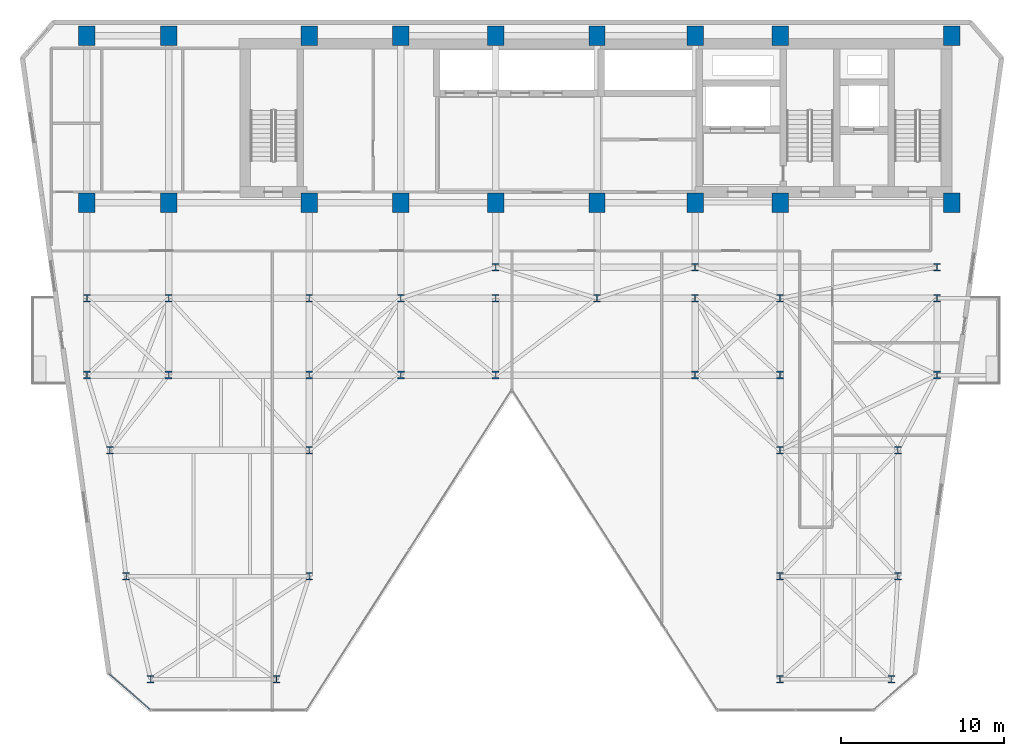
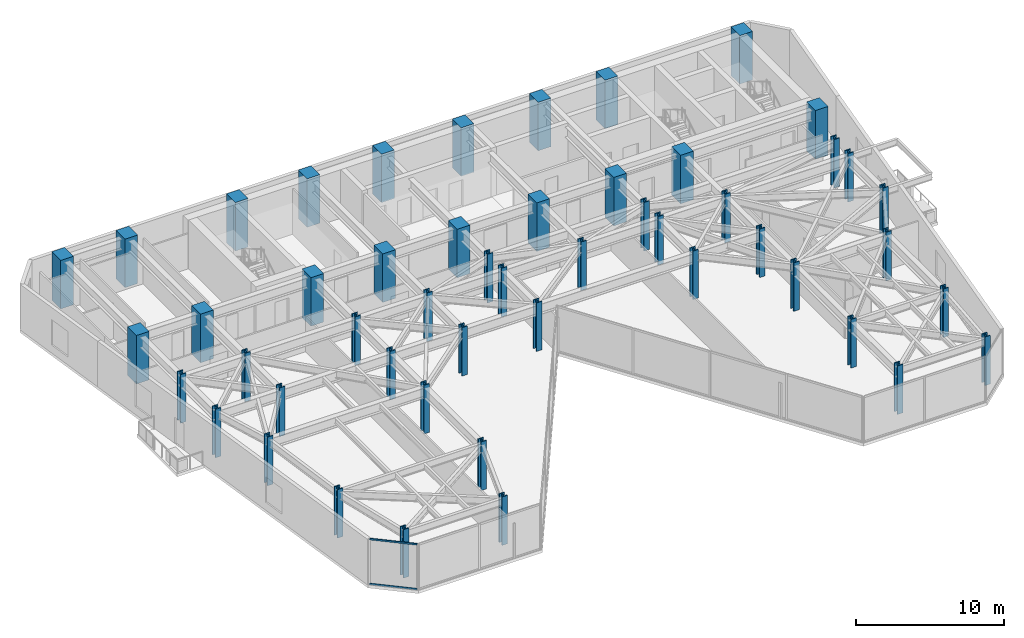
# One storey, part 1 of 20: 50 columns, 2 members, 1 element without a shape of its own.
"""IFC4 building model written with IfcOpenShell, lengths in metres."""

from ifc_helpers import new_model, si_unit, direction, frame, origin, origin_2d, place, context, subcontext, project, spatial, rectangle, hollow_rectangle, i_section, extrude, material, layer, layer_set, material_profile, profile_set, type_object, element, aggregate, save


model = new_model("IFC4")

# Units and contexts
model_context = context("Model", 3, precision=1e-05, world=origin(), true_north=direction((0.0, 1.0)))
body_context = subcontext(model_context, "Body", "Model", "MODEL_VIEW")
ifc_project = project(units=[si_unit("LENGTHUNIT", "METRE"), si_unit("AREAUNIT", "SQUARE_METRE"), si_unit("VOLUMEUNIT", "CUBIC_METRE"), si_unit("PLANEANGLEUNIT", "RADIAN"), si_unit("MASSUNIT", "GRAM", prefix="KILO")], contexts=[model_context])

# Site, building, storey
site_placement = place(None, origin())
site = spatial("IfcSite", under=ifc_project, at=site_placement, CompositionType="ELEMENT")
building_placement = place(site_placement, origin())
building = spatial("IfcBuilding", under=site, at=building_placement, Name="Kravanh Interchange Tower", CompositionType="ELEMENT")
storey_placement = place(building_placement, frame((0.0, 0.0, 104.0)))
storey = spatial("IfcBuildingStorey", under=building, at=storey_placement, Name="L24", CompositionType="ELEMENT", Elevation=104.0)

# Columns
ifc_material_1 = material(Name="Concrete C70/85", Category="concrete")
ifc_material_profile_1 = material_profile(ifc_material_1, rectangle(XDim=1.0, YDim=1.199951171875, at=origin_2d()), Name="RC1000X1200")
ifc_profile_set_1 = profile_set([ifc_material_profile_1], Name="Concrete C70/85")
column_type_1 = type_object("IfcColumnType", Name="Column RC1000X1200 Concrete C70/85", PredefinedType="COLUMN", material=ifc_profile_set_1)
for number, where, z_axis, x_axis, name in (
    (1, (66.5, 47.550048828125, 0.0), (0.0, 0.0, 1.0), (1.0, 0.0, 0.0), "L24 Column CS01"),
    (2, (56.0, 47.550048828125, 0.0), (0.0, 0.0, 1.0), (1.0, 0.0, 0.0), "L24 Column CS02"),
    (3, (66.5, 37.35009765625, 0.0), (0.0, 0.0, 1.0), (1.0, 0.0, 0.0), "L24 Column CS03"),
    (4, (56.0, 37.35009765625, 0.0), (0.0, 0.0, 1.0), (1.0, 0.0, 0.0), "L24 Column CS04"),
    (5, (50.800048828125, 47.550048828125, 0.0), (0.0, 0.0, 1.0), (1.0, 0.0, 0.0), "L24 Column CS05"),
    (6, (50.800048828125, 37.35009765625, 0.0), (0.0, 0.0, 1.0), (1.0, 0.0, 0.0), "L24 Column CS06"),
    (7, (44.800048828125, 37.35009765625, 0.0), (0.0, 0.0, 1.0), (1.0, 0.0, 0.0), "L24 Column CS07"),
    (8, (44.800048828125, 47.550048828125, 0.0), (0.0, 0.0, 1.0), (1.0, 0.0, 0.0), "L24 Column CS08"),
    (9, (38.60009765625, 37.35009765625, 0.0), (0.0, 0.0, 1.0), (1.0, 0.0, 0.0), "L24 Column CS09"),
    (10, (38.60009765625, 47.550048828125, 0.0), (0.0, 0.0, 1.0), (1.0, 0.0, 0.0), "L24 Column CS10"),
    (11, (32.800048828125, 37.35009765625, 0.0), (0.0, 0.0, 1.0), (1.0, 0.0, 0.0), "L24 Column CS11"),
    (12, (32.800048828125, 47.550048828125, 0.0), (0.0, 0.0, 1.0), (1.0, 0.0, 0.0), "L24 Column CS12"),
    (13, (27.199951171875, 37.35009765625, 0.0), (0.0, 0.0, 1.0), (1.0, 0.0, 0.0), "L24 Column CS13"),
    (14, (27.199951171875, 47.550048828125, 0.0), (0.0, 0.0, 1.0), (1.0, 0.0, 0.0), "L24 Column CS14"),
    (15, (18.60009765625, 37.35009765625, 0.0), (0.0, 0.0, 1.0), (1.0, 0.0, 0.0), "L24 Column CS17"),
    (16, (18.60009765625, 47.550048828125, 0.0), (0.0, 0.0, 1.0), (1.0, 0.0, 0.0), "L24 Column CS18"),
    (17, (13.60009765625, 37.35009765625, 0.0), (0.0, 0.0, 1.0), (1.0, 0.0, 0.0), "L24 Column CS19"),
    (18, (13.60009765625, 47.550048828125, 0.0), (0.0, 0.0, 1.0), (1.0, 0.0, 0.0), "L24 Column CS20"),
):
    element("IfcColumn", number, at=place(storey_placement, frame(where, z_axis=z_axis, x_axis=x_axis)), inside=storey, type_object=column_type_1, Name=name, PredefinedType="COLUMN", context=body_context, shape_type="SweptSolid", body=[
        extrude(rectangle(XDim=1.0, YDim=1.199951171875, at=origin_2d()), origin(), (0.0, 0.0, 1.0), 4.0),
    ])
ifc_material_2 = material(Name="Structural Steel S450", Category="steel")
ifc_material_profile_2 = material_profile(ifc_material_2, i_section(OverallWidth=0.424072265625, OverallDepth=0.47412109375, WebThickness=0.047607421875, FlangeThickness=0.0771484375, FilletRadius=0.030029296875, at=origin_2d()), Name="W14X426")
ifc_profile_set_2 = profile_set([ifc_material_profile_2], Name="Structural Steel S450")
column_type_2 = type_object("IfcColumnType", Name="Column W14X426 Structural Steel S450", PredefinedType="COLUMN", material=ifc_profile_set_2)
for number, where, z_axis, x_axis, name in (
    (19, (17.5, 8.199951171875, 0.0), (0.0, 0.0, 1.0), (1.0, 0.0, 0.0), "L24 Column CZ2_1"),
    (20, (13.60009765625, 26.800048828125, 0.0), (0.0, 0.0, 1.0), (1.0, 0.0, 0.0), "L24 Column CZ2_11"),
    (21, (18.60009765625, 26.800048828125, 0.0), (0.0, 0.0, 1.0), (1.0, 0.0, 0.0), "L24 Column CZ2_12"),
    (22, (27.199951171875, 26.800048828125, 0.0), (0.0, 0.0, 1.0), (1.0, 0.0, 0.0), "L24 Column CZ2_13"),
    (23, (32.800048828125, 26.800048828125, 0.0), (0.0, 0.0, 1.0), (1.0, 0.0, 0.0), "L24 Column CZ2_14"),
    (24, (38.60009765625, 26.800048828125, 0.0), (0.0, 0.0, 1.0), (1.0, 0.0, 0.0), "L24 Column CZ2_14B"),
    (25, (50.800048828125, 26.800048828125, 0.0), (0.0, 0.0, 1.0), (1.0, 0.0, 0.0), "L24 Column CZ2_15"),
    (26, (56.0, 26.800048828125, 0.0), (0.0, 0.0, 1.0), (1.0, 0.0, 0.0), "L24 Column CZ2_16"),
    (27, (65.60009765625, 26.800048828125, 0.0), (0.0, 0.0, 1.0), (1.0, 0.0, 0.0), "L24 Column CZ2_17"),
    (28, (13.60009765625, 31.5, 0.0), (0.0, 0.0, 1.0), (1.0, 0.0, 0.0), "L24 Column CZ2_18"),
    (29, (18.60009765625, 31.5, 0.0), (0.0, 0.0, 1.0), (1.0, 0.0, 0.0), "L24 Column CZ2_18B"),
    (30, (27.199951171875, 31.5, 0.0), (0.0, 0.0, 1.0), (1.0, 0.0, 0.0), "L24 Column CZ2_19"),
    (31, (25.199951171875, 8.199951171875, 0.0), (0.0, 0.0, 1.0), (1.0, 0.0, 0.0), "L24 Column CZ2_2"),
    (32, (32.800048828125, 31.5, 0.0), (0.0, 0.0, 1.0), (1.0, 0.0, 0.0), "L24 Column CZ2_20"),
    (33, (38.60009765625, 31.5, 0.0), (0.0, 0.0, 1.0), (1.0, 0.0, 0.0), "L24 Column CZ2_21"),
    (34, (44.800048828125, 31.5, 0.0), (0.0, 0.0, 1.0), (1.0, 0.0, 0.0), "L24 Column CZ2_22"),
    (35, (50.800048828125, 31.5, 0.0), (0.0, 0.0, 1.0), (1.0, 0.0, 0.0), "L24 Column CZ2_23"),
    (36, (56.0, 31.5, 0.0), (0.0, 0.0, 1.0), (1.0, 0.0, 0.0), "L24 Column CZ2_24"),
    (37, (65.60009765625, 31.5, 0.0), (0.0, 0.0, 1.0), (1.0, 0.0, 0.0), "L24 Column CZ2_25"),
    (38, (56.0, 8.199951171875, 0.0), (0.0, 0.0, 1.0), (1.0, 0.0, 0.0), "L24 Column CZ2_3"),
    (39, (62.800048828125, 8.199951171875, 0.0), (0.0, 0.0, 1.0), (1.0, 0.0, 0.0), "L24 Column CZ2_4"),
    (40, (16.0, 14.5, 0.0), (0.0, 0.0, 1.0), (1.0, 0.0, 0.0), "L24 Column CZ2_5"),
    (41, (27.199951171875, 14.5, 0.0), (0.0, 0.0, 1.0), (1.0, 0.0, 0.0), "L24 Column CZ2_5B"),
    (42, (56.0, 14.5, 0.0), (0.0, 0.0, 1.0), (1.0, 0.0, 0.0), "L24 Column CZ2_5C"),
    (43, (63.199951171875, 14.5, 0.0), (0.0, 0.0, 1.0), (1.0, 0.0, 0.0), "L24 Column CZ2_5D"),
    (44, (15.0, 22.199951171875, 0.0), (0.0, 0.0, 1.0), (1.0, 0.0, 0.0), "L24 Column CZ2_6"),
    (45, (27.199951171875, 22.199951171875, 0.0), (0.0, 0.0, 1.0), (1.0, 0.0, 0.0), "L24 Column CZ2_7"),
    (46, (56.0, 22.199951171875, 0.0), (0.0, 0.0, 1.0), (1.0, 0.0, 0.0), "L24 Column CZ2_8"),
    (47, (63.199951171875, 22.199951171875, 0.0), (0.0, 0.0, 1.0), (1.0, 0.0, 0.0), "L24 Column CZ2_9"),
    (48, (38.60009765625, 33.39990234375, 0.0), (0.0, 0.0, 1.0), (1.0, 0.0, 0.0), "L24 Column CZ2_M1"),
    (49, (50.800048828125, 33.39990234375, 0.0), (0.0, 0.0, 1.0), (1.0, 0.0, 0.0), "L24 Column CZ2_M2"),
    (50, (65.60009765625, 33.39990234375, 0.0), (0.0, 0.0, 1.0), (1.0, 0.0, 0.0), "L24 Column CZ2_M3"),
):
    element("IfcColumn", number, at=place(storey_placement, frame(where, z_axis=z_axis, x_axis=x_axis)), inside=storey, type_object=column_type_2, Name=name, PredefinedType="COLUMN", context=body_context, shape_type="SweptSolid", body=[
        extrude(i_section(OverallWidth=0.424072265625, OverallDepth=0.47412109375, WebThickness=0.047607421875, FlangeThickness=0.0771484375, FilletRadius=0.030029296875, at=origin_2d()), origin(), (0.0, 0.0, 1.0), 4.0),
    ])

# Curtain wall, members
ifc_material_3 = material(Name="Anodised Bronze Aluminium", Category="aluminium")
ifc_layer = layer(ifc_material_3, 0.179931640625)
ifc_layer_set = layer_set([ifc_layer], Name="Unitised Curtain Wall System CW-Z2 Mid Office")
curtain_wall_type = type_object("IfcCurtainWallType", Name="Unitised Curtain Wall System CW-Z2 Mid Office", PredefinedType="NOTDEFINED", material=ifc_layer_set)
curtain_wall_placement = place(storey_placement, origin())
curtain_wall = element("IfcCurtainWall", 51, at=curtain_wall_placement, inside=storey, type_object=curtain_wall_type, Name="L24 Unitised Curtain Wall CW-L24-06", PredefinedType="NOTDEFINED")
ifc_material_4 = material(Name="Anodised Bronze Aluminium", Category="aluminium")
ifc_material_profile_3 = material_profile(ifc_material_4, hollow_rectangle(XDim=0.06005859375, YDim=0.139892578125, WallThickness=0.00390625, at=origin_2d()), Name="ALU60X140X4")
ifc_profile_set_3 = profile_set([ifc_material_profile_3], Name="Anodised Bronze Aluminium")
member_type = type_object("IfcMemberType", Name="Curtain Wall Transom ALU60X140X4 Bronze", PredefinedType="USERDEFINED", material=ifc_profile_set_3)
member_1_placement = place(storey_placement, frame((17.444580078125, 6.359375, 0.030029296875), z_axis=(-0.754742467432, 0.656021194669, 0.0), x_axis=(-0.656021194669, -0.754742467432, 0.0)))
member_1 = element("IfcMember", 52, at=member_1_placement, type_object=member_type, Name="CW-Z2 transom 1.1", ObjectType="TRANSOM", PredefinedType="USERDEFINED", context=body_context, shape_type="SweptSolid", body=[
    extrude(hollow_rectangle(XDim=0.06005859375, YDim=0.139892578125, WallThickness=0.00390625, at=origin_2d()), origin(), (0.0, 0.0, 1.0), 3.261962890625),
])
member_2_placement = place(storey_placement, frame((17.444580078125, 6.359375, 3.719970703125), z_axis=(-0.754742467432, 0.656021194669, 0.0), x_axis=(-0.656021194669, -0.754742467432, 0.0)))
member_2 = element("IfcMember", 53, at=member_2_placement, type_object=member_type, Name="CW-Z2 transom 1.2", ObjectType="TRANSOM", PredefinedType="USERDEFINED", context=body_context, shape_type="SweptSolid", body=[
    extrude(hollow_rectangle(XDim=0.06005859375, YDim=0.139892578125, WallThickness=0.00390625, at=origin_2d()), origin(), (0.0, 0.0, 1.0), 3.261962890625),
])
aggregate(curtain_wall, [member_1, member_2])

save(model, "model.ifc")
